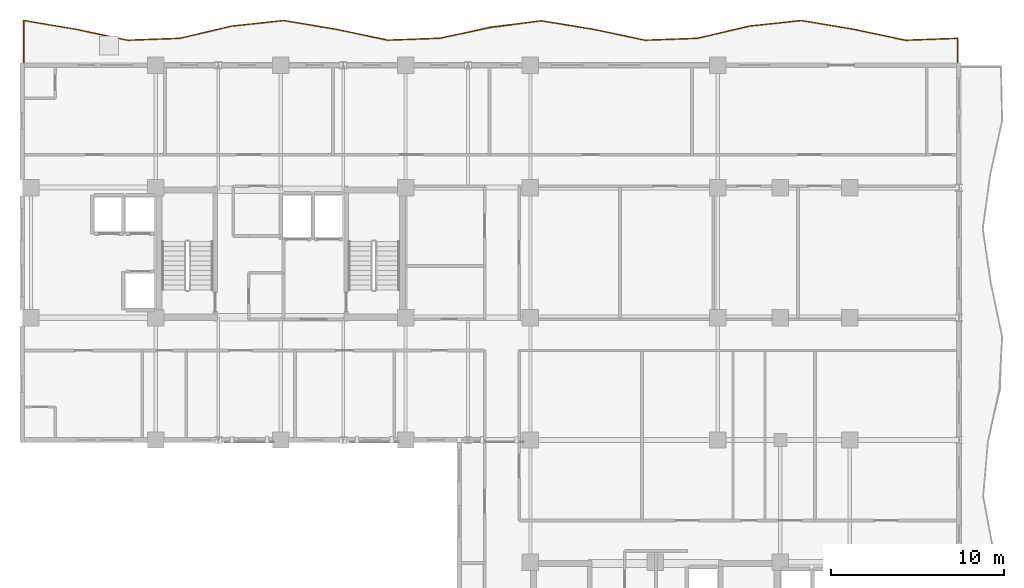
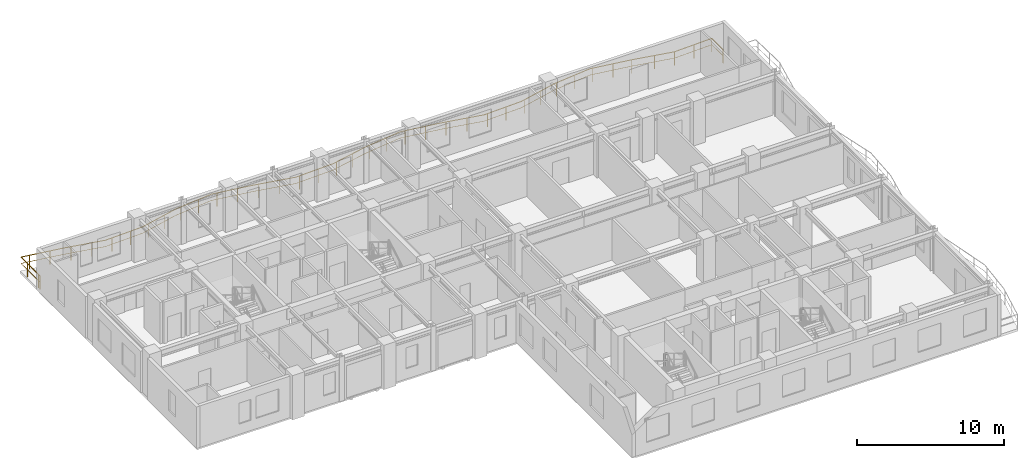
# One storey, part 13 of 13: 1 railing.
"""IFC4 building model written with IfcOpenShell, lengths in metres."""

from ifc_helpers import new_model, si_unit, direction, frame, origin, origin_2d, place, context, subcontext, project, spatial, rectangle, extrude, material, type_object, element, save


model = new_model("IFC4")

# Units and contexts
model_context = context("Model", 3, precision=1e-05, world=origin(), true_north=direction((0.0, 1.0)))
body_context = subcontext(model_context, "Body", "Model", "MODEL_VIEW")
ifc_project = project(units=[si_unit("LENGTHUNIT", "METRE"), si_unit("AREAUNIT", "SQUARE_METRE"), si_unit("VOLUMEUNIT", "CUBIC_METRE"), si_unit("PLANEANGLEUNIT", "RADIAN"), si_unit("MASSUNIT", "GRAM", prefix="KILO")], contexts=[model_context])

# Site, building, storey
site_placement = place(None, origin())
site = spatial("IfcSite", under=ifc_project, at=site_placement, CompositionType="ELEMENT")
building_placement = place(site_placement, origin())
building = spatial("IfcBuilding", under=site, at=building_placement, Name="Kaliganga Portal Commons", CompositionType="ELEMENT")
storey_placement = place(building_placement, frame((0.0, 0.0, 212.89990234375)))
storey = spatial("IfcBuildingStorey", under=building, at=storey_placement, Name="L54", CompositionType="ELEMENT", Elevation=212.89990234375)

# Railing
ifc_material = material(Name="Laminated Safety Glass and Stainless Steel 316", Category="steel")
railing_type = type_object("IfcRailingType", Name="RLG-BAL-1150", PredefinedType="BALUSTRADE", material=ifc_material)
railing_placement = place(storey_placement, frame((60.6201171875, 43.205322265625, 0.0)))
element("IfcRailing", 1, at=railing_placement, inside=storey, type_object=railing_type, Name="Balcony Guardrail L54 balc_north", PredefinedType="BALUSTRADE", context=body_context, shape_type="SweptSolid", body=[
    extrude(rectangle(XDim=0.048095703125, YDim=0.048095703125, at=origin_2d()), frame((0.0, 0.0, 1.1259765625), z_axis=(0.0, 1.0, 0.0), x_axis=(-1.0, 0.0, 0.0)), (0.0, 0.0, 1.0), 1.5556640625),
    extrude(rectangle(XDim=0.028076171875, YDim=0.028076171875, at=origin_2d()), frame((0.0, 0.0, 0.597900390625), z_axis=(0.0, 1.0, 0.0), x_axis=(-1.0, 0.0, 0.0)), (0.0, 0.0, 1.0), 1.5556640625),
    extrude(rectangle(XDim=0.048095703125, YDim=0.048095703125, at=origin_2d()), frame((0.0, 1.5556640625, 1.1259765625), z_axis=(-0.999309140454, -0.03716506162, 0.0), x_axis=(0.03716506162, -0.999309140454, 0.0)), (0.0, 0.0, 1.0), 3.001953125),
    extrude(rectangle(XDim=0.028076171875, YDim=0.028076171875, at=origin_2d()), frame((0.0, 1.5556640625, 0.597900390625), z_axis=(-0.999309140454, -0.03716506162, 0.0), x_axis=(0.03716506162, -0.999309140454, 0.0)), (0.0, 0.0, 1.0), 3.001953125),
    extrude(rectangle(XDim=0.048095703125, YDim=0.048095703125, at=origin_2d()), frame((-3.0, 1.444091796875, 1.1259765625), z_axis=(-0.978275241205, 0.207310280607, 0.0), x_axis=(-0.207310280607, -0.978275241205, 0.0)), (0.0, 0.0, 1.0), 3.066650390625),
    extrude(rectangle(XDim=0.028076171875, YDim=0.028076171875, at=origin_2d()), frame((-3.0, 1.444091796875, 0.597900390625), z_axis=(-0.978275241205, 0.207310280607, 0.0), x_axis=(-0.207310280607, -0.978275241205, 0.0)), (0.0, 0.0, 1.0), 3.066650390625),
    extrude(rectangle(XDim=0.048095703125, YDim=0.048095703125, at=origin_2d()), frame((-6.0, 2.079833984375, 1.1259765625), z_axis=(-0.986198008648, 0.165570189766, 0.0), x_axis=(-0.165570189766, -0.986198008648, 0.0)), (0.0, 0.0, 1.0), 3.0419921875),
    extrude(rectangle(XDim=0.028076171875, YDim=0.028076171875, at=origin_2d()), frame((-6.0, 2.079833984375, 0.597900390625), z_axis=(-0.986198008648, 0.165570189766, 0.0), x_axis=(-0.165570189766, -0.986198008648, 0.0)), (0.0, 0.0, 1.0), 3.0419921875),
    extrude(rectangle(XDim=0.048095703125, YDim=0.048095703125, at=origin_2d()), frame((-9.0, 2.58349609375, 1.1259765625), z_axis=(-0.994219425712, -0.107367283359, 0.0), x_axis=(0.107367283359, -0.994219425712, 0.0)), (0.0, 0.0, 1.0), 3.017333984375),
    extrude(rectangle(XDim=0.028076171875, YDim=0.028076171875, at=origin_2d()), frame((-9.0, 2.58349609375, 0.597900390625), z_axis=(-0.994219425712, -0.107367283359, 0.0), x_axis=(0.107367283359, -0.994219425712, 0.0)), (0.0, 0.0, 1.0), 3.017333984375),
    extrude(rectangle(XDim=0.048095703125, YDim=0.048095703125, at=origin_2d()), frame((-12.0, 2.259521484375, 1.1259765625), z_axis=(-0.973633911269, -0.228116213423, 0.0), x_axis=(0.228116213423, -0.973633911269, 0.0)), (0.0, 0.0, 1.0), 3.081298828125),
    extrude(rectangle(XDim=0.028076171875, YDim=0.028076171875, at=origin_2d()), frame((-12.0, 2.259521484375, 0.597900390625), z_axis=(-0.973633911269, -0.228116213423, 0.0), x_axis=(0.228116213423, -0.973633911269, 0.0)), (0.0, 0.0, 1.0), 3.081298828125),
    extrude(rectangle(XDim=0.048095703125, YDim=0.048095703125, at=origin_2d()), frame((-15.0, 1.556640625, 1.1259765625), z_axis=(-0.999321169091, -0.036840209114, 0.0), x_axis=(0.036840209114, -0.999321169091, 0.0)), (0.0, 0.0, 1.0), 3.001953125),
    extrude(rectangle(XDim=0.028076171875, YDim=0.028076171875, at=origin_2d()), frame((-15.0, 1.556640625, 0.597900390625), z_axis=(-0.999321169091, -0.036840209114, 0.0), x_axis=(0.036840209114, -0.999321169091, 0.0)), (0.0, 0.0, 1.0), 3.001953125),
    extrude(rectangle(XDim=0.048095703125, YDim=0.048095703125, at=origin_2d()), frame((-18.0, 1.446044921875, 1.1259765625), z_axis=(-0.978597077501, 0.205785713563, 0.0), x_axis=(-0.205785713563, -0.978597077501, 0.0)), (0.0, 0.0, 1.0), 3.065673828125),
    extrude(rectangle(XDim=0.028076171875, YDim=0.028076171875, at=origin_2d()), frame((-18.0, 1.446044921875, 0.597900390625), z_axis=(-0.978597077501, 0.205785713563, 0.0), x_axis=(-0.205785713563, -0.978597077501, 0.0)), (0.0, 0.0, 1.0), 3.065673828125),
    extrude(rectangle(XDim=0.048095703125, YDim=0.048095703125, at=origin_2d()), frame((-21.0, 2.076904296875, 1.1259765625), z_axis=(-0.986925313744, 0.161178240128, 0.0), x_axis=(-0.161178240128, -0.986925313744, 0.0)), (0.0, 0.0, 1.0), 3.037109375),
    extrude(rectangle(XDim=0.028076171875, YDim=0.028076171875, at=origin_2d()), frame((-21.0, 2.076904296875, 0.597900390625), z_axis=(-0.986925313744, 0.161178240128, 0.0), x_axis=(-0.161178240128, -0.986925313744, 0.0)), (0.0, 0.0, 1.0), 3.037109375),
    extrude(rectangle(XDim=0.048095703125, YDim=0.048095703125, at=origin_2d()), frame((-23.997314453125, 2.56640625, 1.1259765625), z_axis=(-0.991467820321, -0.130351683026, 0.0), x_axis=(0.130351683026, -0.991467820321, 0.0)), (0.0, 0.0, 1.0), 2.947998046875),
    extrude(rectangle(XDim=0.028076171875, YDim=0.028076171875, at=origin_2d()), frame((-23.997314453125, 2.56640625, 0.597900390625), z_axis=(-0.991467820321, -0.130351683026, 0.0), x_axis=(0.130351683026, -0.991467820321, 0.0)), (0.0, 0.0, 1.0), 2.947998046875),
    extrude(rectangle(XDim=0.048095703125, YDim=0.048095703125, at=origin_2d()), frame((-26.920166015625, 2.18212890625, 1.1259765625), z_axis=(-0.978137438655, -0.207959493897, 0.0), x_axis=(0.207959493897, -0.978137438655, 0.0)), (0.0, 0.0, 1.0), 2.9853515625),
    extrude(rectangle(XDim=0.028076171875, YDim=0.028076171875, at=origin_2d()), frame((-26.920166015625, 2.18212890625, 0.597900390625), z_axis=(-0.978137438655, -0.207959493897, 0.0), x_axis=(0.207959493897, -0.978137438655, 0.0)), (0.0, 0.0, 1.0), 2.9853515625),
    extrude(rectangle(XDim=0.048095703125, YDim=0.048095703125, at=origin_2d()), frame((-29.84033203125, 1.561279296875, 1.1259765625), z_axis=(-0.999281691014, -0.037895936524, 0.0), x_axis=(0.037895936524, -0.999281691014, 0.0)), (0.0, 0.0, 1.0), 3.002197265625),
    extrude(rectangle(XDim=0.028076171875, YDim=0.028076171875, at=origin_2d()), frame((-29.84033203125, 1.561279296875, 0.597900390625), z_axis=(-0.999281691014, -0.037895936524, 0.0), x_axis=(0.037895936524, -0.999281691014, 0.0)), (0.0, 0.0, 1.0), 3.002197265625),
    extrude(rectangle(XDim=0.048095703125, YDim=0.048095703125, at=origin_2d()), frame((-32.84033203125, 1.447509765625, 1.1259765625), z_axis=(-0.978593704597, 0.205801752477, 0.0), x_axis=(-0.205801752477, -0.978593704597, 0.0)), (0.0, 0.0, 1.0), 3.0654296875),
    extrude(rectangle(XDim=0.028076171875, YDim=0.028076171875, at=origin_2d()), frame((-32.84033203125, 1.447509765625, 0.597900390625), z_axis=(-0.978593704597, 0.205801752477, 0.0), x_axis=(-0.205801752477, -0.978593704597, 0.0)), (0.0, 0.0, 1.0), 3.0654296875),
    extrude(rectangle(XDim=0.048095703125, YDim=0.048095703125, at=origin_2d()), frame((-35.840087890625, 2.078369140625, 1.1259765625), z_axis=(-0.986213308315, 0.165479033424, 0.0), x_axis=(-0.165479033424, -0.986213308315, 0.0)), (0.0, 0.0, 1.0), 3.042236328125),
    extrude(rectangle(XDim=0.028076171875, YDim=0.028076171875, at=origin_2d()), frame((-35.840087890625, 2.078369140625, 0.597900390625), z_axis=(-0.986213308315, 0.165479033424, 0.0), x_axis=(-0.165479033424, -0.986213308315, 0.0)), (0.0, 0.0, 1.0), 3.042236328125),
    extrude(rectangle(XDim=0.048095703125, YDim=0.048095703125, at=origin_2d()), frame((-38.84033203125, 2.581787109375, 1.1259765625), z_axis=(-0.9942788065, -0.106815986374, 0.0), x_axis=(0.106815986374, -0.9942788065, 0.0)), (0.0, 0.0, 1.0), 3.01708984375),
    extrude(rectangle(XDim=0.028076171875, YDim=0.028076171875, at=origin_2d()), frame((-38.84033203125, 2.581787109375, 0.597900390625), z_axis=(-0.9942788065, -0.106815986374, 0.0), x_axis=(0.106815986374, -0.9942788065, 0.0)), (0.0, 0.0, 1.0), 3.01708984375),
    extrude(rectangle(XDim=0.048095703125, YDim=0.048095703125, at=origin_2d()), frame((-41.840087890625, 2.259521484375, 1.1259765625), z_axis=(-0.973598704709, -0.228266428082, 0.0), x_axis=(0.228266428082, -0.973598704709, 0.0)), (0.0, 0.0, 1.0), 3.081298828125),
    extrude(rectangle(XDim=0.028076171875, YDim=0.028076171875, at=origin_2d()), frame((-41.840087890625, 2.259521484375, 0.597900390625), z_axis=(-0.973598704709, -0.228266428082, 0.0), x_axis=(0.228266428082, -0.973598704709, 0.0)), (0.0, 0.0, 1.0), 3.081298828125),
    extrude(rectangle(XDim=0.048095703125, YDim=0.048095703125, at=origin_2d()), frame((-44.840087890625, 1.55615234375, 1.1259765625), z_axis=(-0.99930611684, -0.03724627291, 0.0), x_axis=(0.03724627291, -0.99930611684, 0.0)), (0.0, 0.0, 1.0), 3.002197265625),
    extrude(rectangle(XDim=0.028076171875, YDim=0.028076171875, at=origin_2d()), frame((-44.840087890625, 1.55615234375, 0.597900390625), z_axis=(-0.99930611684, -0.03724627291, 0.0), x_axis=(0.03724627291, -0.99930611684, 0.0)), (0.0, 0.0, 1.0), 3.002197265625),
    extrude(rectangle(XDim=0.048095703125, YDim=0.048095703125, at=origin_2d()), frame((-47.840087890625, 1.4443359375, 1.1259765625), z_axis=(-0.978275241205, 0.207310280607, 0.0), x_axis=(-0.207310280607, -0.978275241205, 0.0)), (0.0, 0.0, 1.0), 3.066650390625),
    extrude(rectangle(XDim=0.028076171875, YDim=0.028076171875, at=origin_2d()), frame((-47.840087890625, 1.4443359375, 0.597900390625), z_axis=(-0.978275241205, 0.207310280607, 0.0), x_axis=(-0.207310280607, -0.978275241205, 0.0)), (0.0, 0.0, 1.0), 3.066650390625),
    extrude(rectangle(XDim=0.048095703125, YDim=0.048095703125, at=origin_2d()), frame((-50.840087890625, 2.080078125, 1.1259765625), z_axis=(-0.986145542963, 0.165882392359, 0.0), x_axis=(-0.165882392359, -0.986145542963, 0.0)), (0.0, 0.0, 1.0), 3.042236328125),
    extrude(rectangle(XDim=0.028076171875, YDim=0.028076171875, at=origin_2d()), frame((-50.840087890625, 2.080078125, 0.597900390625), z_axis=(-0.986145542963, 0.165882392359, 0.0), x_axis=(-0.165882392359, -0.986145542963, 0.0)), (0.0, 0.0, 1.0), 3.042236328125),
    extrude(rectangle(XDim=0.048095703125, YDim=0.048095703125, at=origin_2d()), frame((-53.840087890625, 2.584716796875, 1.1259765625), z_axis=(-9.4455464e-05, -0.999999995539, 0.0), x_axis=(0.999999995539, -9.4455464e-05, 0.0)), (0.0, 0.0, 1.0), 2.584716796875),
    extrude(rectangle(XDim=0.028076171875, YDim=0.028076171875, at=origin_2d()), frame((-53.840087890625, 2.584716796875, 0.597900390625), z_axis=(-9.4455464e-05, -0.999999995539, 0.0), x_axis=(0.999999995539, -9.4455464e-05, 0.0)), (0.0, 0.0, 1.0), 2.584716796875),
    extrude(rectangle(XDim=0.0419921875, YDim=0.0419921875, at=origin_2d()), origin(), (0.0, 0.0, 1.0), 1.101806640625),
    extrude(rectangle(XDim=0.0419921875, YDim=0.0419921875, at=origin_2d()), frame((0.0, 1.5556640625, 0.0)), (0.0, 0.0, 1.0), 1.101806640625),
    extrude(rectangle(XDim=0.0419921875, YDim=0.0419921875, at=origin_2d()), frame((-1.443359375, 1.501953125, 0.0)), (0.0, 0.0, 1.0), 1.101806640625),
    extrude(rectangle(XDim=0.0419921875, YDim=0.0419921875, at=origin_2d()), frame((-3.0, 1.444091796875, 0.0)), (0.0, 0.0, 1.0), 1.101806640625),
    extrude(rectangle(XDim=0.0419921875, YDim=0.0419921875, at=origin_2d()), frame((-4.410888671875, 1.7431640625, 0.0)), (0.0, 0.0, 1.0), 1.101806640625),
    extrude(rectangle(XDim=0.0419921875, YDim=0.0419921875, at=origin_2d()), frame((-6.0, 2.079833984375, 0.0)), (0.0, 0.0, 1.0), 1.101806640625),
    extrude(rectangle(XDim=0.0419921875, YDim=0.0419921875, at=origin_2d()), frame((-7.356689453125, 2.3076171875, 0.0)), (0.0, 0.0, 1.0), 1.101806640625),
    extrude(rectangle(XDim=0.0419921875, YDim=0.0419921875, at=origin_2d()), frame((-8.8359375, 2.555908203125, 0.0)), (0.0, 0.0, 1.0), 1.101806640625),
    extrude(rectangle(XDim=0.0419921875, YDim=0.0419921875, at=origin_2d()), frame((-10.325927734375, 2.440185546875, 0.0)), (0.0, 0.0, 1.0), 1.101806640625),
    extrude(rectangle(XDim=0.0419921875, YDim=0.0419921875, at=origin_2d()), frame((-11.8173828125, 2.279296875, 0.0)), (0.0, 0.0, 1.0), 1.101806640625),
    extrude(rectangle(XDim=0.0419921875, YDim=0.0419921875, at=origin_2d()), frame((-13.281494140625, 1.959228515625, 0.0)), (0.0, 0.0, 1.0), 1.101806640625),
    extrude(rectangle(XDim=0.0419921875, YDim=0.0419921875, at=origin_2d()), frame((-14.741943359375, 1.6171875, 0.0)), (0.0, 0.0, 1.0), 1.101806640625),
    extrude(rectangle(XDim=0.0419921875, YDim=0.0419921875, at=origin_2d()), frame((-16.234130859375, 1.51123046875, 0.0)), (0.0, 0.0, 1.0), 1.101806640625),
    extrude(rectangle(XDim=0.0419921875, YDim=0.0419921875, at=origin_2d()), frame((-17.733154296875, 1.455810546875, 0.0)), (0.0, 0.0, 1.0), 1.101806640625),
    extrude(rectangle(XDim=0.0419921875, YDim=0.0419921875, at=origin_2d()), frame((-19.20654296875, 1.69970703125, 0.0)), (0.0, 0.0, 1.0), 1.101806640625),
    extrude(rectangle(XDim=0.0419921875, YDim=0.0419921875, at=origin_2d()), frame((-20.674560546875, 2.008544921875, 0.0)), (0.0, 0.0, 1.0), 1.101806640625),
    extrude(rectangle(XDim=0.0419921875, YDim=0.0419921875, at=origin_2d()), frame((-22.152099609375, 2.26513671875, 0.0)), (0.0, 0.0, 1.0), 1.101806640625),
    extrude(rectangle(XDim=0.0419921875, YDim=0.0419921875, at=origin_2d()), frame((-23.632568359375, 2.5068359375, 0.0)), (0.0, 0.0, 1.0), 1.101806640625),
    extrude(rectangle(XDim=0.0419921875, YDim=0.0419921875, at=origin_2d()), frame((-25.117919921875, 2.419189453125, 0.0)), (0.0, 0.0, 1.0), 1.101806640625),
    extrude(rectangle(XDim=0.0419921875, YDim=0.0419921875, at=origin_2d()), frame((-26.605224609375, 2.2236328125, 0.0)), (0.0, 0.0, 1.0), 1.101806640625),
    extrude(rectangle(XDim=0.0419921875, YDim=0.0419921875, at=origin_2d()), frame((-28.07666015625, 1.936279296875, 0.0)), (0.0, 0.0, 1.0), 1.101806640625),
    extrude(rectangle(XDim=0.0419921875, YDim=0.0419921875, at=origin_2d()), frame((-29.543701171875, 1.624267578125, 0.0)), (0.0, 0.0, 1.0), 1.101806640625),
    extrude(rectangle(XDim=0.0419921875, YDim=0.0419921875, at=origin_2d()), frame((-31.036376953125, 1.515869140625, 0.0)), (0.0, 0.0, 1.0), 1.101806640625),
    extrude(rectangle(XDim=0.0419921875, YDim=0.0419921875, at=origin_2d()), frame((-32.53515625, 1.458984375, 0.0)), (0.0, 0.0, 1.0), 1.101806640625),
    extrude(rectangle(XDim=0.0419921875, YDim=0.0419921875, at=origin_2d()), frame((-34.009521484375, 1.693359375, 0.0)), (0.0, 0.0, 1.0), 1.101806640625),
    extrude(rectangle(XDim=0.0419921875, YDim=0.0419921875, at=origin_2d()), frame((-35.477294921875, 2.002197265625, 0.0)), (0.0, 0.0, 1.0), 1.101806640625),
    extrude(rectangle(XDim=0.0419921875, YDim=0.0419921875, at=origin_2d()), frame((-36.953857421875, 2.26513671875, 0.0)), (0.0, 0.0, 1.0), 1.101806640625),
    extrude(rectangle(XDim=0.0419921875, YDim=0.0419921875, at=origin_2d()), frame((-38.43310546875, 2.513427734375, 0.0)), (0.0, 0.0, 1.0), 1.101806640625),
    extrude(rectangle(XDim=0.0419921875, YDim=0.0419921875, at=origin_2d()), frame((-39.921142578125, 2.465576171875, 0.0)), (0.0, 0.0, 1.0), 1.101806640625),
    extrude(rectangle(XDim=0.0419921875, YDim=0.0419921875, at=origin_2d()), frame((-41.41259765625, 2.305419921875, 0.0)), (0.0, 0.0, 1.0), 1.101806640625),
    extrude(rectangle(XDim=0.0419921875, YDim=0.0419921875, at=origin_2d()), frame((-42.882080078125, 2.01513671875, 0.0)), (0.0, 0.0, 1.0), 1.101806640625),
    extrude(rectangle(XDim=0.0419921875, YDim=0.0419921875, at=origin_2d()), frame((-44.34228515625, 1.6728515625, 0.0)), (0.0, 0.0, 1.0), 1.101806640625),
    extrude(rectangle(XDim=0.0419921875, YDim=0.0419921875, at=origin_2d()), frame((-45.828125, 1.519287109375, 0.0)), (0.0, 0.0, 1.0), 1.101806640625),
    extrude(rectangle(XDim=0.0419921875, YDim=0.0419921875, at=origin_2d()), frame((-47.3271484375, 1.46337890625, 0.0)), (0.0, 0.0, 1.0), 1.101806640625),
    extrude(rectangle(XDim=0.0419921875, YDim=0.0419921875, at=origin_2d()), frame((-48.805419921875, 1.64892578125, 0.0)), (0.0, 0.0, 1.0), 1.101806640625),
    extrude(rectangle(XDim=0.0419921875, YDim=0.0419921875, at=origin_2d()), frame((-50.272705078125, 1.9599609375, 0.0)), (0.0, 0.0, 1.0), 1.101806640625),
    extrude(rectangle(XDim=0.0419921875, YDim=0.0419921875, at=origin_2d()), frame((-51.747314453125, 2.232666015625, 0.0)), (0.0, 0.0, 1.0), 1.101806640625),
    extrude(rectangle(XDim=0.0419921875, YDim=0.0419921875, at=origin_2d()), frame((-53.2265625, 2.4814453125, 0.0)), (0.0, 0.0, 1.0), 1.101806640625),
    extrude(rectangle(XDim=0.0419921875, YDim=0.0419921875, at=origin_2d()), frame((-53.840087890625, 1.706787109375, 0.0)), (0.0, 0.0, 1.0), 1.101806640625),
    extrude(rectangle(XDim=0.0419921875, YDim=0.0419921875, at=origin_2d()), frame((-53.84033203125, 0.206787109375, 0.0)), (0.0, 0.0, 1.0), 1.101806640625),
    extrude(rectangle(XDim=0.0419921875, YDim=0.0419921875, at=origin_2d()), frame((-53.84033203125, 0.0, 0.0)), (0.0, 0.0, 1.0), 1.101806640625),
])

save(model, "model.ifc")
